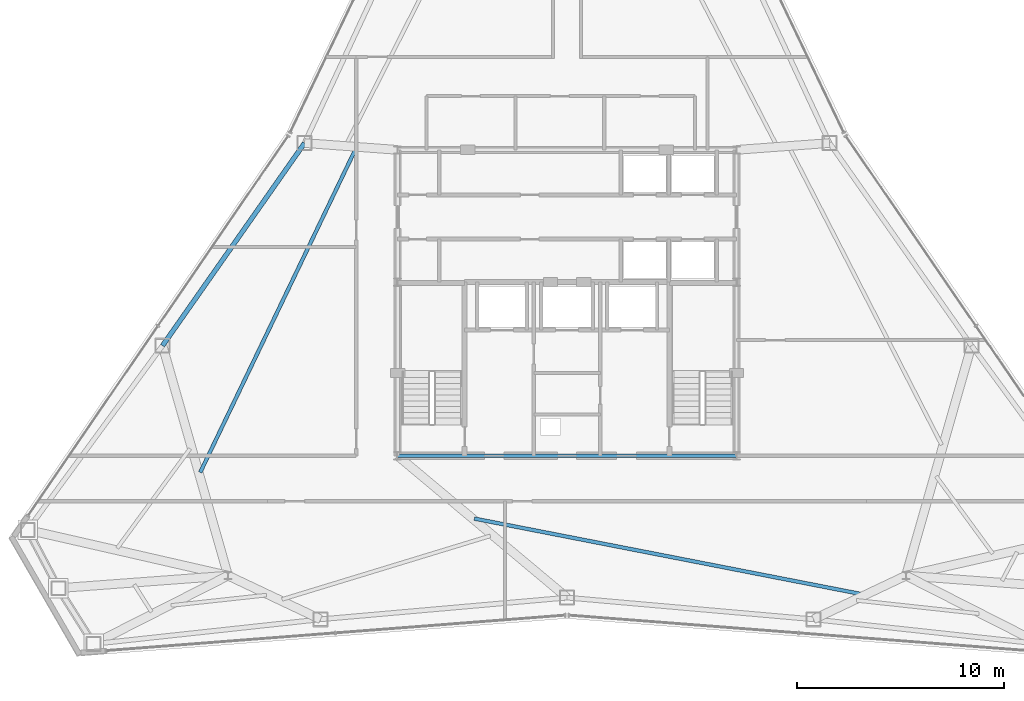
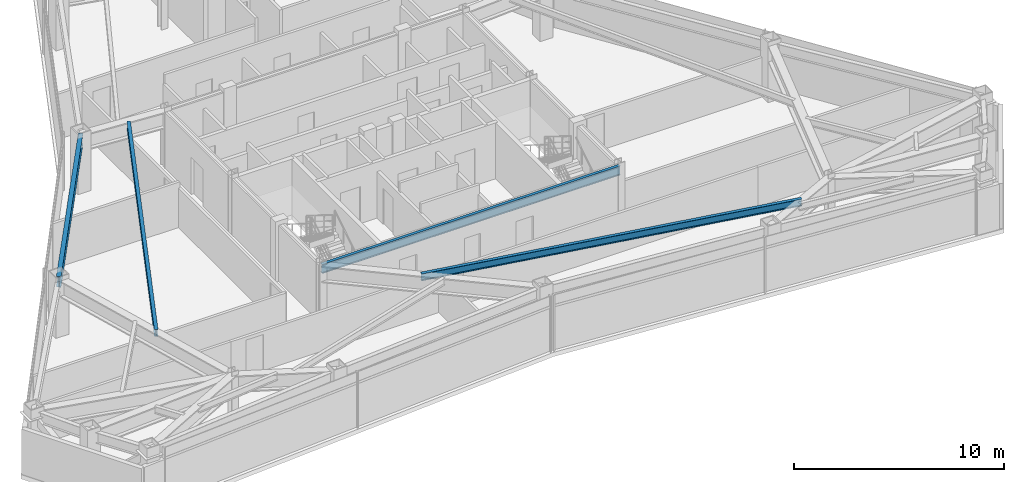
# One storey, part 4 of 11: 4 beams.
"""IFC4 building model written with IfcOpenShell, lengths in metres."""

from ifc_helpers import new_model, si_unit, direction, frame, origin, origin_2d, place, context, subcontext, project, spatial, i_section, extrude, material, material_profile, profile_set, type_object, element, save


model = new_model("IFC4")

# Units and contexts
model_context = context("Model", 3, precision=1e-05, world=origin(), true_north=direction((0.0, 1.0)))
body_context = subcontext(model_context, "Body", "Model", "MODEL_VIEW")
ifc_project = project(units=[si_unit("LENGTHUNIT", "METRE"), si_unit("AREAUNIT", "SQUARE_METRE"), si_unit("VOLUMEUNIT", "CUBIC_METRE"), si_unit("PLANEANGLEUNIT", "RADIAN"), si_unit("MASSUNIT", "GRAM", prefix="KILO")], contexts=[model_context])

# Site, building, storey
site_placement = place(None, origin())
site = spatial("IfcSite", under=ifc_project, at=site_placement, CompositionType="ELEMENT")
building_placement = place(site_placement, origin())
building = spatial("IfcBuilding", under=site, at=building_placement, Name="Varakhsha Concourse Tower", CompositionType="ELEMENT")
storey_placement = place(building_placement, frame((0.0, 0.0, 215.39990234375)))
storey = spatial("IfcBuildingStorey", under=building, at=storey_placement, Name="L61", CompositionType="ELEMENT", Elevation=215.39990234375)

# Beams
ifc_material = material(Name="Structural Steel ASTM A992 Grade 50", Category="steel")
ifc_material_profile_1 = material_profile(ifc_material, i_section(OverallWidth=0.177978515625, OverallDepth=0.406982421875, WebThickness=0.008056640625, FlangeThickness=0.012939453125, at=origin_2d()), Name="W16X40")
ifc_profile_set_1 = profile_set([ifc_material_profile_1], Name="Structural Steel ASTM A992 Grade 50")
beam_type_1 = type_object("IfcBeamType", Name="BM-JST-W16X40", PredefinedType="JOIST", material=ifc_profile_set_1)
beam_1_placement = place(storey_placement, frame((29.772705078125, 31.246826171875, 3.046630859375), z_axis=(-0.433099415659, -0.901346157786, 0.0), x_axis=(0.901346157786, -0.433099415659, 0.0)))
element("IfcBeam", 1, at=beam_1_placement, inside=storey, type_object=beam_type_1, Name="BM-TJST-L61-05", PredefinedType="JOIST", context=body_context, shape_type="SweptSolid", body=[
    extrude(i_section(OverallWidth=0.177978515625, OverallDepth=0.406982421875, WebThickness=0.008056640625, FlangeThickness=0.012939453125, at=origin_2d()), origin(), (0.0, 0.0, 1.0), 17.365478515625),
])
beam_2_placement = place(storey_placement, frame((35.51611328125, 13.35888671875, 3.046630859375), z_axis=(0.981510211995, -0.19140977966, 0.0), x_axis=(0.19140977966, 0.981510211995, 0.0)))
element("IfcBeam", 2, at=beam_2_placement, inside=storey, type_object=beam_type_1, Name="BM-TJST-L61-11", PredefinedType="JOIST", context=body_context, shape_type="SweptSolid", body=[
    extrude(i_section(OverallWidth=0.177978515625, OverallDepth=0.406982421875, WebThickness=0.008056640625, FlangeThickness=0.012939453125, at=origin_2d()), origin(), (0.0, 0.0, 1.0), 19.162841796875),
])
ifc_material_profile_2 = material_profile(ifc_material, i_section(OverallWidth=0.1669921875, OverallDepth=0.534912109375, WebThickness=0.010009765625, FlangeThickness=0.01708984375, at=origin_2d()), Name="W21X57")
ifc_profile_set_2 = profile_set([ifc_material_profile_2], Name="Structural Steel ASTM A992 Grade 50")
beam_type_2 = type_object("IfcBeamType", Name="BM-RAD-W21X57", PredefinedType="BEAM", material=ifc_profile_set_2)
beam_3_placement = place(storey_placement, frame((31.800048828125, 16.39990234375, 2.982666015625), z_axis=(1.0, 0.0, 0.0), x_axis=(0.0, 1.0, 0.0)))
element("IfcBeam", 3, at=beam_3_placement, inside=storey, type_object=beam_type_2, Name="BM-TCORE-L61-CS", PredefinedType="BEAM", context=body_context, shape_type="SweptSolid", body=[
    extrude(i_section(OverallWidth=0.1669921875, OverallDepth=0.534912109375, WebThickness=0.010009765625, FlangeThickness=0.01708984375, at=origin_2d()), origin(), (0.0, 0.0, 1.0), 16.39990234375),
])
ifc_material_profile_3 = material_profile(ifc_material, i_section(OverallWidth=0.22900390625, OverallDepth=0.612060546875, WebThickness=0.011962890625, FlangeThickness=0.02001953125, at=origin_2d()), Name="W24X84")
ifc_profile_set_3 = profile_set([ifc_material_profile_3], Name="Structural Steel ASTM A992 Grade 50")
beam_type_3 = type_object("IfcBeamType", Name="BM-SPAN-W24X84", PredefinedType="SPANDREL", material=ifc_profile_set_3)
beam_4_placement = place(storey_placement, frame((27.301025390625, 31.53173828125, 2.944091796875), z_axis=(-0.574025939062, -0.818837115233, 0.0), x_axis=(0.818837115233, -0.574025939062, 0.0)))
element("IfcBeam", 4, at=beam_4_placement, inside=storey, type_object=beam_type_3, Name="BM-SPAN-L61-05", PredefinedType="SPANDREL", context=body_context, shape_type="SweptSolid", body=[
    extrude(i_section(OverallWidth=0.22900390625, OverallDepth=0.612060546875, WebThickness=0.011962890625, FlangeThickness=0.02001953125, at=origin_2d()), origin(), (0.0, 0.0, 1.0), 11.97509765625),
])

save(model, "model.ifc")
